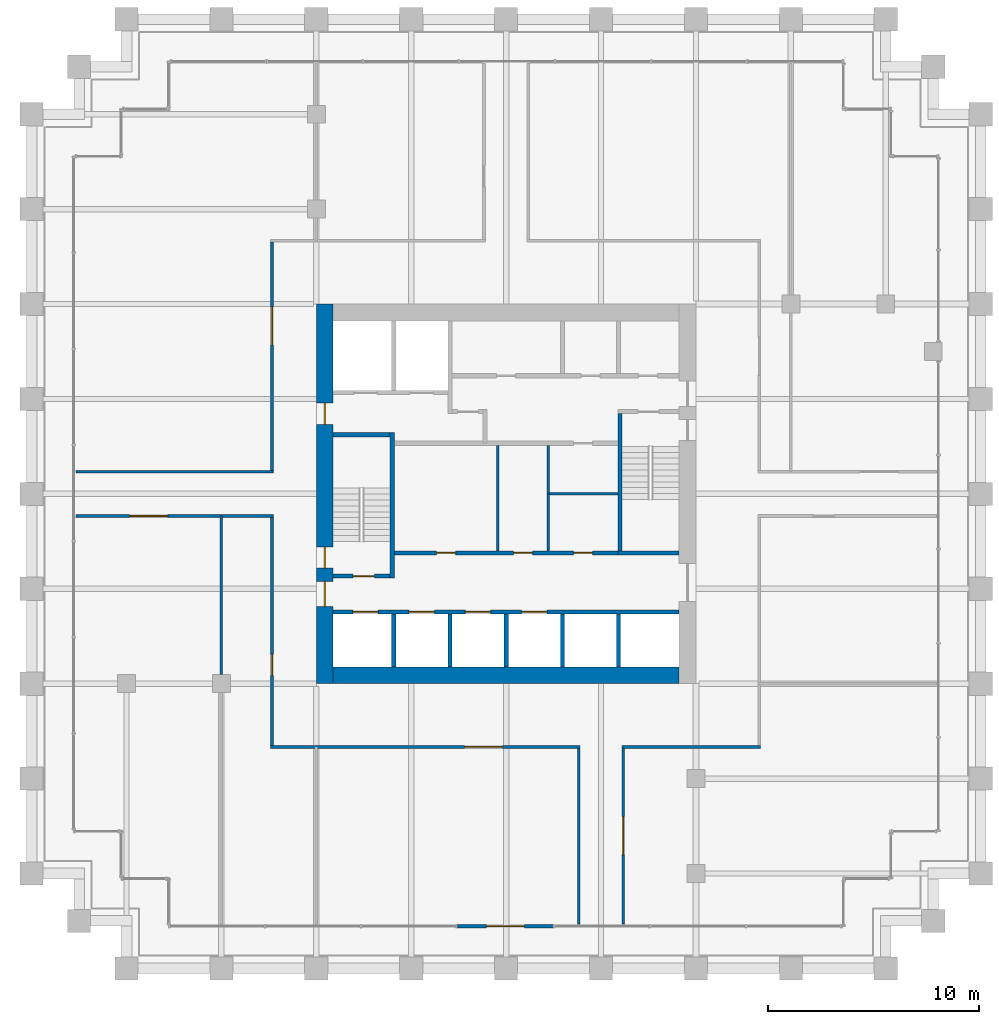
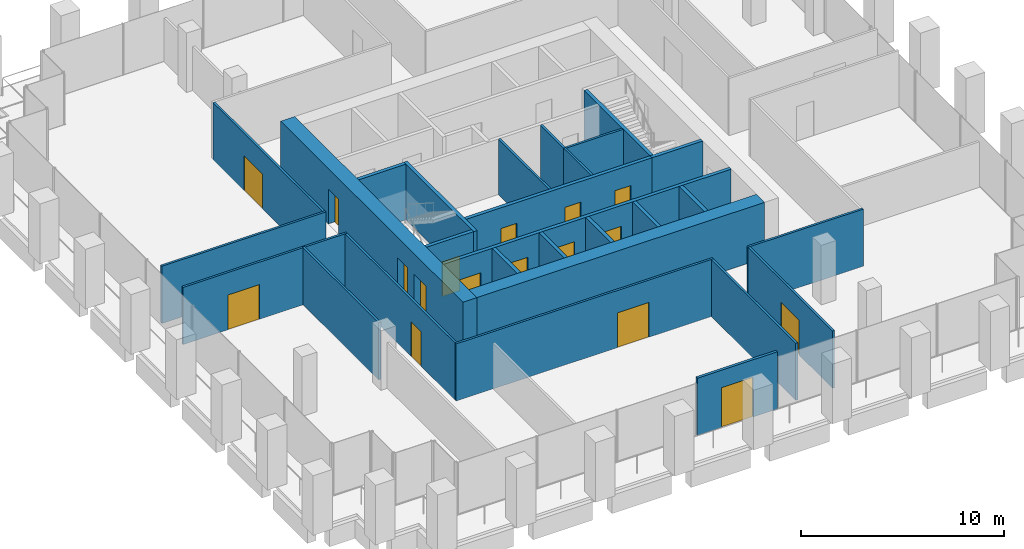
# One storey, part 50 of 54: 28 walls, 17 doors, 17 openings.
"""IFC4 building model written with IfcOpenShell, lengths in metres."""

import ifcopenshell
import ifcopenshell.guid

model = None  # the IFC model being written
_history = None  # IfcOwnerHistory: only IFC2X3 demands one
_inside = {}  # id of a spatial element -> (the spatial element, [elements in it])
_under = {}  # id of a project, library or spatial element -> (it, [spatial elements below it])
_declared = {}  # id of a project -> (the project, [libraries it declares])
_typed = {}  # id of a type object -> (the type object, [elements of that type])
_made_of = {}  # id of a material, layer set ... -> (it, [elements and type objects made of it])


def new_model(schema):
    """Start an empty IFC model of exactly this schema.

    Asked for "IFC4X3", IfcOpenShell would pick the latest addendum, in which some entities
    have other attributes; the version numbers below select the first issue.
    IFC2X3 requires an IfcOwnerHistory on every rooted entity: one is made here for all.
    """
    global model, _history
    if schema == "IFC4X3":
        model = ifcopenshell.file(schema_version=(4, 3, 0, 0))
    else:
        model = ifcopenshell.file(schema=schema)
    _inside.clear()
    _under.clear()
    _declared.clear()
    _typed.clear()
    _made_of.clear()
    _history = None
    if model.schema == "IFC2X3":
        org = make("IfcOrganization", Name="unknown")
        user = make(
            "IfcPersonAndOrganization",
            ThePerson=make("IfcPerson", FamilyName="unknown"),
            TheOrganization=org,
        )
        app = make(
            "IfcApplication",
            ApplicationDeveloper=org,
            Version="unknown",
            ApplicationFullName="unknown",
            ApplicationIdentifier="unknown",
        )
        _history = make(
            "IfcOwnerHistory",
            OwningUser=user,
            OwningApplication=app,
            ChangeAction="ADDED",
            CreationDate=0,
        )
    return model


def make(cls, **values):
    """One entity of the class cls with the attributes given. An attribute that is None is left unset."""
    return model.create_entity(
        cls, **{name: value for name, value in values.items() if value is not None}
    )


def rooted(cls, **values):
    """An entity with a GlobalId (a new one), such as an element, a storey or a relation."""
    return make(cls, GlobalId=ifcopenshell.guid.new(), OwnerHistory=_history, **values)


def si_unit(unit_type, name, prefix=None):
    """IfcSIUnit, for example si_unit("LENGTHUNIT", "METRE", prefix="MILLI")."""
    return make("IfcSIUnit", UnitType=unit_type, Prefix=prefix, Name=name)


def assignment(units):
    """IfcUnitAssignment: the units of a project."""
    return None if units is None else make("IfcUnitAssignment", Units=units)


def point(xyz):
    """IfcCartesianPoint."""
    return None if xyz is None else make("IfcCartesianPoint", Coordinates=xyz)


def direction(xyz):
    """IfcDirection."""
    return None if xyz is None else make("IfcDirection", DirectionRatios=xyz)


def frame(location, z_axis=None, x_axis=None):
    """IfcAxis2Placement3D, a coordinate frame: its origin and axes. An axis left out is left unset."""
    return make(
        "IfcAxis2Placement3D",
        Location=point(location),
        Axis=direction(z_axis),
        RefDirection=direction(x_axis),
    )


def frame_2d(location, x_axis=None):
    """IfcAxis2Placement2D, a coordinate frame in the plane: its origin and x axis."""
    return make(
        "IfcAxis2Placement2D", Location=point(location), RefDirection=direction(x_axis)
    )


def origin():
    """The frame at (0, 0, 0) with its axes left unset."""
    return frame((0.0, 0.0, 0.0))


def place(relative_to, where):
    """IfcLocalPlacement: puts the frame where relative to a parent placement (None: the world)."""
    return make(
        "IfcLocalPlacement", PlacementRelTo=relative_to, RelativePlacement=where
    )


def context(
    kind, dimensions, precision=None, world=None, true_north=None, identifier=None
):
    """IfcGeometricRepresentationContext, for example the 3D "Model" context."""
    return make(
        "IfcGeometricRepresentationContext",
        ContextIdentifier=identifier,
        ContextType=kind,
        CoordinateSpaceDimension=dimensions,
        Precision=precision,
        WorldCoordinateSystem=world,
        TrueNorth=true_north,
    )


def subcontext(parent, identifier, kind, view, scale=None):
    """IfcGeometricRepresentationSubContext, for example "Body" below "Model"."""
    return make(
        "IfcGeometricRepresentationSubContext",
        ContextIdentifier=identifier,
        ContextType=kind,
        ParentContext=parent,
        TargetScale=scale,
        TargetView=view,
    )


def project(units=None, contexts=None):
    """IfcProject with its units and contexts."""
    return rooted(
        "IfcProject",
        Name="project",
        RepresentationContexts=contexts,
        UnitsInContext=assignment(units),
    )


def spatial(cls, under=None, at=None, **own):
    """A site, building, storey or space (cls), placed at a placement, below another one or the project."""
    s = rooted(cls, ObjectPlacement=at, **own)
    if under is not None:
        _under.setdefault(under.id(), (under, []))[1].append(s)
    return s


def profile(cls, at=None, kind="AREA", **sizes):
    """A parametric profile (cls). Its sizes go by their IFC names, for example OverallWidth=200.0."""
    return make(cls, ProfileType=kind, Position=at, **sizes)


def rectangle(**sizes):
    """IfcRectangleProfileDef."""
    return profile("IfcRectangleProfileDef", **sizes)


def extrude(swept, where, along, depth):
    """IfcExtrudedAreaSolid: the profile swept, set in the frame where, extruded along a direction by depth."""
    return make(
        "IfcExtrudedAreaSolid",
        SweptArea=swept,
        Position=where,
        ExtrudedDirection=direction(along),
        Depth=depth,
    )


def shape(context_of_items, identifier, shape_type, items):
    """IfcShapeRepresentation: the items that make up one representation, for example the "Body"."""
    return make(
        "IfcShapeRepresentation",
        ContextOfItems=context_of_items,
        RepresentationIdentifier=identifier,
        RepresentationType=shape_type,
        Items=items,
    )


def material(Name=None, Category=None):
    """IfcMaterial."""
    return make("IfcMaterial", Name=Name, Category=Category)


def layer(
    of_material, thickness, ventilated=None, Name=None, Category=None, Priority=None
):
    """IfcMaterialLayer: one layer of a wall or slab, of a material (None: an air gap)."""
    return make(
        "IfcMaterialLayer",
        Material=of_material,
        LayerThickness=thickness,
        IsVentilated=ventilated,
        Name=Name,
        Category=Category,
        Priority=Priority,
    )


def layer_set(layers, Name=None):
    """IfcMaterialLayerSet."""
    return make("IfcMaterialLayerSet", MaterialLayers=layers, LayerSetName=Name)


def made_of(thing, what):
    """Note that an element or type object is made of a material, layer set ...; save() writes the relation."""
    if what is not None:
        _made_of.setdefault(what.id(), (what, []))[1].append(thing)
    return thing


def type_object(cls, material=None, **own):
    """A type object (cls), such as IfcWallType, which elements share."""
    return made_of(rooted(cls, **own), material)


def element(
    cls,
    number,
    at=None,
    inside=None,
    cuts=None,
    type_object=None,
    material=None,
    context=None,
    identifier="Body",
    shape_type=None,
    held_by="IfcProductDefinitionShape",
    body=None,
    shapes=None,
    **own,
):
    """One element of the class cls, such as IfcWall. Its Tag is "e" and its number.

    at: its placement. inside: the storey or other place that contains it. cuts: it is an
    opening in that element (IfcRelVoidsElement). A single representation is given by context,
    identifier, shape_type and body (its items); several are given by shapes. held_by: the class
    of the entity that holds the representations. save() writes the other relations.
    """
    e = rooted(cls, Tag="e%d" % number, ObjectPlacement=at, **own)
    if body is not None:
        shapes = [shape(context, identifier, shape_type, body)]
    if shapes is not None:
        e.Representation = make(held_by, Representations=shapes)
    if inside is not None:
        _inside.setdefault(inside.id(), (inside, []))[1].append(e)
    if cuts is not None:
        rooted(
            "IfcRelVoidsElement", RelatingBuildingElement=cuts, RelatedOpeningElement=e
        )
    if type_object is not None:
        _typed.setdefault(type_object.id(), (type_object, []))[1].append(e)
    return made_of(e, material)


def fill(opening, filler):
    """IfcRelFillsElement: the door or window that sits in an opening."""
    return rooted(
        "IfcRelFillsElement",
        RelatingOpeningElement=opening,
        RelatedBuildingElement=filler,
    )


def aggregate(whole, parts):
    """IfcRelAggregates: a whole, such as a stair, and the parts it consists of."""
    return rooted("IfcRelAggregates", RelatingObject=whole, RelatedObjects=parts)


def save(model, path):
    """Write the relations noted so far, then the file.

    IfcRelAggregates (storeys below a building ...), IfcRelContainedInSpatialStructure (elements
    in a storey), IfcRelDefinesByType, IfcRelAssociatesMaterial and IfcRelDeclares: one each for
    every whole, place, type object, material and project.
    """
    for whole, parts in _under.values():
        aggregate(whole, parts)
    for where, things in _inside.values():
        rooted(
            "IfcRelContainedInSpatialStructure",
            RelatedElements=things,
            RelatingStructure=where,
        )
    for kind, things in _typed.values():
        rooted("IfcRelDefinesByType", RelatedObjects=things, RelatingType=kind)
    for what, things in _made_of.values():
        rooted("IfcRelAssociatesMaterial", RelatedObjects=things, RelatingMaterial=what)
    for by, libraries in _declared.values():
        rooted("IfcRelDeclares", RelatingContext=by, RelatedDefinitions=libraries)
    model.write(path)


model = new_model("IFC4")

# Units and contexts
model_context = context("Model", 3, precision=1e-05, world=origin(), true_north=direction((0.0, 1.0)))
body_context = subcontext(model_context, "Body", "Model", "MODEL_VIEW")
ifc_project = project(units=[si_unit("LENGTHUNIT", "METRE"), si_unit("AREAUNIT", "SQUARE_METRE"), si_unit("VOLUMEUNIT", "CUBIC_METRE"), si_unit("PLANEANGLEUNIT", "RADIAN"), si_unit("MASSUNIT", "GRAM", prefix="KILO")], contexts=[model_context])

# Site, building, storey
site_placement = place(None, origin())
site = spatial("IfcSite", under=ifc_project, at=site_placement, CompositionType="ELEMENT")
building_placement = place(site_placement, origin())
building = spatial("IfcBuilding", under=site, at=building_placement, Name="Altepetl Exchange Towers", CompositionType="ELEMENT")
storey_placement = place(building_placement, frame((0.0, 0.0, 58.199951171875)))
storey = spatial("IfcBuildingStorey", under=building, at=storey_placement, Name="L13", CompositionType="ELEMENT", Elevation=58.199951171875)

# Wall
ifc_material_1 = material(Name="Concrete C70/85", Category="concrete")
ifc_layer_1 = layer(ifc_material_1, 0.800048828125)
ifc_layer_set_1 = layer_set([ifc_layer_1], Name="Concrete C70/85")
wall_type_1 = type_object("IfcWallType", Name="Core wall 800 reinforced concrete", PredefinedType="SHEAR", material=ifc_layer_set_1)
wall_1_placement = place(storey_placement, frame((41.300048828125, 40.89990234375, 0.0)))
element("IfcWall", 1, at=wall_1_placement, inside=storey, type_object=wall_type_1, Name="wall:A:L13:K-coreS", PredefinedType="SHEAR", context=body_context, shape_type="SweptSolid", body=[
    extrude(rectangle(XDim=16.39990234375, YDim=0.800048828125, at=frame_2d((8.199951171875, 0.0))), origin(), (0.0, 0.0, 1.0), 3.35009765625),
])

# Wall, openings, doors
wall_2_placement = place(storey_placement, frame((40.89990234375, 40.5, 0.0), z_axis=(0.0, 0.0, 1.0), x_axis=(0.0, 1.0, 0.0)))
wall_2 = element("IfcWall", 2, at=wall_2_placement, inside=storey, type_object=wall_type_1, Name="wall:A:L13:K-coreW", PredefinedType="SHEAR", context=body_context, shape_type="SweptSolid", body=[
    extrude(rectangle(XDim=18.0, YDim=0.800048828125, at=frame_2d((9.0, 0.0))), origin(), (0.0, 0.0, 1.0), 3.35009765625),
])
opening_1_placement = place(wall_2_placement, frame((3.64990234375, 0.0, 0.0)))
opening_1 = element("IfcOpeningElement", 3, at=opening_1_placement, cuts=wall_2, Name="Opening L13.A62", PredefinedType="OPENING", context=body_context, shape_type="SweptSolid", body=[
    extrude(rectangle(XDim=1.199951171875, YDim=2.10009765625, at=frame_2d((0.60009765625, 1.050048828125))), frame((0.0, 0.41015625, 0.0), z_axis=(0.0, -1.0, 0.0), x_axis=(1.0, 0.0, 0.0)), (0.0, 0.0, 1.0), 0.820068359375),
])
opening_2_placement = place(wall_2_placement, frame((5.47509765625, 0.0, 0.0)))
opening_2 = element("IfcOpeningElement", 4, at=opening_2_placement, cuts=wall_2, Name="Opening L13.A64", PredefinedType="OPENING", context=body_context, shape_type="SweptSolid", body=[
    extrude(rectangle(XDim=1.0, YDim=2.10009765625, at=frame_2d((0.5, 1.050048828125))), frame((0.0, 0.41015625, 0.0), z_axis=(0.0, -1.0, 0.0), x_axis=(1.0, 0.0, 0.0)), (0.0, 0.0, 1.0), 0.820068359375),
])
opening_3_placement = place(wall_2_placement, frame((12.300048828125, 0.0, 0.0)))
opening_3 = element("IfcOpeningElement", 5, at=opening_3_placement, cuts=wall_2, Name="Opening L13.A68", PredefinedType="OPENING", context=body_context, shape_type="SweptSolid", body=[
    extrude(rectangle(XDim=1.0, YDim=2.10009765625, at=frame_2d((0.5, 1.050048828125))), frame((0.0, 0.41015625, 0.0), z_axis=(0.0, -1.0, 0.0), x_axis=(1.0, 0.0, 0.0)), (0.0, 0.0, 1.0), 0.820068359375),
])
ifc_material_2 = material(Name="Steel and timber fire door", Category="steel")
door_type_1 = type_object("IfcDoorType", Name="Fire door 1000 x 2100 stair and lobby", OperationType="SINGLE_SWING_LEFT", PredefinedType="DOOR", material=ifc_material_2)
door_1_placement = place(opening_2_placement, frame((1.0, 0.0, 0.0), x_axis=(-1.0, 0.0, 0.0)))
door_1 = element("IfcDoor", 6, at=door_1_placement, inside=storey, type_object=door_type_1, Name="door:A:L13:K-dS1x", OperationType="SINGLE_SWING_RIGHT", OverallHeight=2.10009765625, OverallWidth=1.0, PredefinedType="DOOR", context=body_context, shape_type="SweptSolid", body=[
    extrude(rectangle(XDim=1.0, YDim=2.10009765625, at=frame_2d((0.5, 1.050048828125))), frame((0.0, 0.02490234375, 0.0), z_axis=(0.0, -1.0, 0.0), x_axis=(1.0, 0.0, 0.0)), (0.0, 0.0, 1.0), 0.050048828125),
])
fill(opening_2, door_1)
door_2_placement = place(opening_3_placement, frame((1.0, 0.0, 0.0), x_axis=(-1.0, 0.0, 0.0)))
door_2 = element("IfcDoor", 7, at=door_2_placement, inside=storey, type_object=door_type_1, Name="door:A:L13:K-dffW", OperationType="SINGLE_SWING_LEFT", OverallHeight=2.10009765625, OverallWidth=1.0, PredefinedType="DOOR", context=body_context, shape_type="SweptSolid", body=[
    extrude(rectangle(XDim=1.0, YDim=2.10009765625, at=frame_2d((0.5, 1.050048828125))), frame((0.0, 0.02490234375, 0.0), z_axis=(0.0, -1.0, 0.0), x_axis=(1.0, 0.0, 0.0)), (0.0, 0.0, 1.0), 0.050048828125),
])
fill(opening_3, door_2)
door_type_2 = type_object("IfcDoorType", Name="Fire door 1200 x 2100 lobby entry", OperationType="SINGLE_SWING_LEFT", PredefinedType="DOOR", material=ifc_material_2)
door_3_placement = place(opening_1_placement, frame((1.199951171875, 0.0, 0.0), x_axis=(-1.0, 0.0, 0.0)))
door_3 = element("IfcDoor", 8, at=door_3_placement, inside=storey, type_object=door_type_2, Name="door:A:L13:K-dLSW", OperationType="SINGLE_SWING_LEFT", OverallHeight=2.10009765625, OverallWidth=1.199951171875, PredefinedType="DOOR", context=body_context, shape_type="SweptSolid", body=[
    extrude(rectangle(XDim=1.199951171875, YDim=2.10009765625, at=frame_2d((0.60009765625, 1.050048828125))), frame((0.0, 0.02490234375, 0.0), z_axis=(0.0, -1.0, 0.0), x_axis=(1.0, 0.0, 0.0)), (0.0, 0.0, 1.0), 0.050048828125),
])
fill(opening_1, door_3)

# Wall, opening, door
ifc_material_3 = material(Name="Aluminium composite cladding", Category="aluminium")
ifc_layer_2 = layer(ifc_material_3, 0.14990234375)
ifc_layer_set_2 = layer_set([ifc_layer_2], Name="Aluminium composite cladding")
wall_type_2 = type_object("IfcWallType", Name="Infill wall 150 aluminium panel", PredefinedType="SOLIDWALL", material=ifc_layer_set_2)
wall_3_placement = place(storey_placement, frame((47.18212890625, 29.0, 0.0)))
wall_3 = element("IfcWall", 9, at=wall_3_placement, inside=storey, type_object=wall_type_2, Name="Loggia door bay wall", PredefinedType="SOLIDWALL", context=body_context, shape_type="SweptSolid", body=[
    extrude(rectangle(XDim=4.560791015625, YDim=0.14990234375, at=frame_2d((2.2802734375, 0.0))), origin(), (0.0, 0.0, 1.0), 3.449951171875),
])
opening_4_placement = place(wall_3_placement, frame((1.38037109375, 0.0, 0.0)))
opening_4 = element("IfcOpeningElement", 10, at=opening_4_placement, cuts=wall_3, Name="Opening L13.A90", PredefinedType="OPENING", context=body_context, shape_type="SweptSolid", body=[
    extrude(rectangle(XDim=1.800048828125, YDim=2.39990234375, at=frame_2d((0.89990234375, 1.199951171875))), frame((0.0, 0.0849609375, 0.0), z_axis=(0.0, -1.0, 0.0), x_axis=(1.0, 0.0, 0.0)), (0.0, 0.0, 1.0), 0.169921875),
])
ifc_material_4 = material(Name="Aluminium 6063-T6 and glass", Category="aluminium")
door_type_3 = type_object("IfcDoorType", Name="Glazed door pair 1800x2400", OperationType="DOUBLE_DOOR_DOUBLE_SWING", PredefinedType="NOTDEFINED", material=ifc_material_4)
door_4_placement = place(opening_4_placement, frame((1.800048828125, 0.0, 0.0), x_axis=(-1.0, 0.0, 0.0)))
door_4 = element("IfcDoor", 11, at=door_4_placement, inside=storey, type_object=door_type_3, Name="Loggia door", OperationType="DOUBLE_DOOR_DOUBLE_SWING", OverallHeight=2.39990234375, OverallWidth=1.800048828125, PredefinedType="NOTDEFINED", context=body_context, shape_type="SweptSolid", body=[
    extrude(rectangle(XDim=1.800048828125, YDim=2.39990234375, at=frame_2d((0.89990234375, 1.199951171875))), frame((0.0, 0.02490234375, 0.0), z_axis=(0.0, -1.0, 0.0), x_axis=(1.0, 0.0, 0.0)), (0.0, 0.0, 1.0), 0.050048828125),
])
fill(opening_4, door_4)

# Wall, openings, doors
ifc_material_5 = material(Name="Concrete blockwork", Category="masonry")
ifc_layer_3 = layer(ifc_material_5, 0.199951171875)
ifc_layer_set_3 = layer_set([ifc_layer_3], Name="Concrete blockwork")
wall_type_3 = type_object("IfcWallType", Name="Lobby wall 200 blockwork", PredefinedType="PARTITIONING", material=ifc_layer_set_3)
wall_4_placement = place(storey_placement, frame((44.199951171875, 46.699951171875, 0.0)))
wall_4 = element("IfcWall", 12, at=wall_4_placement, inside=storey, type_object=wall_type_3, Name="wall:A:L13:K-zoneS", PredefinedType="PARTITIONING", context=body_context, shape_type="SweptSolid", body=[
    extrude(rectangle(XDim=10.60009765625, YDim=0.199951171875, at=frame_2d((5.300048828125, 0.0))), origin(), (0.0, 0.0, 1.0), 3.35009765625),
])
opening_5_placement = place(wall_4_placement, frame((2.0, 0.0, 0.0)))
opening_5 = element("IfcOpeningElement", 13, at=opening_5_placement, cuts=wall_4, Name="Opening L13.A72", PredefinedType="OPENING", context=body_context, shape_type="SweptSolid", body=[
    extrude(rectangle(XDim=0.89990234375, YDim=2.10009765625, at=frame_2d((0.449951171875, 1.050048828125))), frame((0.0, 0.10986328125, 0.0), z_axis=(0.0, -1.0, 0.0), x_axis=(1.0, 0.0, 0.0)), (0.0, 0.0, 1.0), 0.219970703125),
])
opening_6_placement = place(wall_4_placement, frame((5.64990234375, 0.0, 0.0)))
opening_6 = element("IfcOpeningElement", 14, at=opening_6_placement, cuts=wall_4, Name="Opening L13.A73", PredefinedType="OPENING", context=body_context, shape_type="SweptSolid", body=[
    extrude(rectangle(XDim=0.89990234375, YDim=2.10009765625, at=frame_2d((0.449951171875, 1.050048828125))), frame((0.0, 0.10986328125, 0.0), z_axis=(0.0, -1.0, 0.0), x_axis=(1.0, 0.0, 0.0)), (0.0, 0.0, 1.0), 0.219970703125),
])
opening_7_placement = place(wall_4_placement, frame((8.5, 0.0, 0.0)))
opening_7 = element("IfcOpeningElement", 15, at=opening_7_placement, cuts=wall_4, Name="Opening L13.A75", PredefinedType="OPENING", context=body_context, shape_type="SweptSolid", body=[
    extrude(rectangle(XDim=0.89990234375, YDim=2.10009765625, at=frame_2d((0.449951171875, 1.050048828125))), frame((0.0, 0.10986328125, 0.0), z_axis=(0.0, -1.0, 0.0), x_axis=(1.0, 0.0, 0.0)), (0.0, 0.0, 1.0), 0.219970703125),
])
door_type_4 = type_object("IfcDoorType", Name="Fire door 900 x 2100 service room", OperationType="SINGLE_SWING_LEFT", PredefinedType="DOOR", material=ifc_material_2)
door_5_placement = place(opening_5_placement, origin())
door_5 = element("IfcDoor", 16, at=door_5_placement, inside=storey, type_object=door_type_4, Name="door:A:L13:K-dz1", OperationType="SINGLE_SWING_LEFT", OverallHeight=2.10009765625, OverallWidth=0.89990234375, PredefinedType="DOOR", context=body_context, shape_type="SweptSolid", body=[
    extrude(rectangle(XDim=0.89990234375, YDim=2.10009765625, at=frame_2d((0.449951171875, 1.050048828125))), frame((0.0, 0.02490234375, 0.0), z_axis=(0.0, -1.0, 0.0), x_axis=(1.0, 0.0, 0.0)), (0.0, 0.0, 1.0), 0.050048828125),
])
fill(opening_5, door_5)
door_6_placement = place(opening_6_placement, origin())
door_6 = element("IfcDoor", 17, at=door_6_placement, inside=storey, type_object=door_type_4, Name="door:A:L13:K-dz2", OperationType="SINGLE_SWING_RIGHT", OverallHeight=2.10009765625, OverallWidth=0.89990234375, PredefinedType="DOOR", context=body_context, shape_type="SweptSolid", body=[
    extrude(rectangle(XDim=0.89990234375, YDim=2.10009765625, at=frame_2d((0.449951171875, 1.050048828125))), frame((0.0, 0.02490234375, 0.0), z_axis=(0.0, -1.0, 0.0), x_axis=(1.0, 0.0, 0.0)), (0.0, 0.0, 1.0), 0.050048828125),
])
fill(opening_6, door_6)
door_7_placement = place(opening_7_placement, origin())
door_7 = element("IfcDoor", 18, at=door_7_placement, inside=storey, type_object=door_type_4, Name="door:A:L13:K-dz4", OperationType="SINGLE_SWING_RIGHT", OverallHeight=2.10009765625, OverallWidth=0.89990234375, PredefinedType="DOOR", context=body_context, shape_type="SweptSolid", body=[
    extrude(rectangle(XDim=0.89990234375, YDim=2.10009765625, at=frame_2d((0.449951171875, 1.050048828125))), frame((0.0, 0.02490234375, 0.0), z_axis=(0.0, -1.0, 0.0), x_axis=(1.0, 0.0, 0.0)), (0.0, 0.0, 1.0), 0.050048828125),
])
fill(opening_7, door_7)

# Walls
ifc_material_6 = material(Name="Gypsum board on steel studs", Category="steel")
ifc_layer_4 = layer(ifc_material_6, 0.125)
ifc_layer_set_4 = layer_set([ifc_layer_4], Name="Gypsum board on steel studs")
wall_type_4 = type_object("IfcWallType", Name="Partition 125 gypsum board on steel studs", PredefinedType="PARTITIONING", material=ifc_layer_set_4)
wall_5_placement = place(storey_placement, frame((49.10009765625, 46.800048828125, 0.0), z_axis=(0.0, 0.0, 1.0), x_axis=(0.0, 1.0, 0.0)))
element("IfcWall", 19, at=wall_5_placement, inside=storey, type_object=wall_type_4, Name="wall:A:L13:K-zp1", PredefinedType="PARTITIONING", context=body_context, shape_type="SweptSolid", body=[
    extrude(rectangle(XDim=5.0, YDim=0.125, at=frame_2d((2.5, 0.0))), origin(), (0.0, 0.0, 1.0), 3.35009765625),
])
wall_6_placement = place(storey_placement, frame((51.5, 46.800048828125, 0.0), z_axis=(0.0, 0.0, 1.0), x_axis=(0.0, 1.0, 0.0)))
element("IfcWall", 20, at=wall_6_placement, inside=storey, type_object=wall_type_4, Name="wall:A:L13:K-zp2", PredefinedType="PARTITIONING", context=body_context, shape_type="SweptSolid", body=[
    extrude(rectangle(XDim=2.762451171875, YDim=0.125, at=frame_2d((1.38134765625, 0.0))), origin(), (0.0, 0.0, 1.0), 3.35009765625),
])
wall_7_placement = place(storey_placement, frame((51.5625, 49.5, 0.0)))
element("IfcWall", 21, at=wall_7_placement, inside=storey, type_object=wall_type_4, Name="wall:A:L13:K-zp3", PredefinedType="PARTITIONING", context=body_context, shape_type="SweptSolid", body=[
    extrude(rectangle(XDim=3.237548828125, YDim=0.125, at=frame_2d((1.61865234375, 0.0))), origin(), (0.0, 0.0, 1.0), 3.35009765625),
])
wall_8_placement = place(storey_placement, frame((51.5, 49.5, 0.0), z_axis=(0.0, 0.0, 1.0), x_axis=(0.0, 1.0, 0.0)))
element("IfcWall", 22, at=wall_8_placement, inside=storey, type_object=wall_type_4, Name="wall:A:L13:K-zp4", PredefinedType="PARTITIONING", context=body_context, shape_type="SweptSolid", body=[
    extrude(rectangle(XDim=2.300048828125, YDim=0.125, at=frame_2d((1.14990234375, 0.0))), origin(), (0.0, 0.0, 1.0), 3.35009765625),
])

# Wall, opening, door
wall_9_placement = place(storey_placement, frame((38.33740234375, 37.5, 0.0)))
wall_9 = element("IfcWall", 23, at=wall_9_placement, inside=storey, type_object=wall_type_4, Name="wall:A:L13:P01", PredefinedType="PARTITIONING", context=body_context, shape_type="SweptSolid", body=[
    extrude(rectangle(XDim=14.675048828125, YDim=0.125, at=frame_2d((7.33740234375, 0.0))), origin(), (0.0, 0.0, 1.0), 3.449951171875),
])
opening_8_placement = place(wall_9_placement, frame((9.193603515625, 0.0, 0.0)))
opening_8 = element("IfcOpeningElement", 24, at=opening_8_placement, cuts=wall_9, Name="Opening L13.A03", PredefinedType="OPENING", context=body_context, shape_type="SweptSolid", body=[
    extrude(rectangle(XDim=1.800048828125, YDim=2.10009765625, at=frame_2d((0.89990234375, 1.050048828125))), frame((0.0, 0.072509765625, 0.0), z_axis=(0.0, -1.0, 0.0), x_axis=(1.0, 0.0, 0.0)), (0.0, 0.0, 1.0), 0.14501953125),
])
door_type_5 = type_object("IfcDoorType", Name="Fire door 1800 x 2100 double leaf", OperationType="DOUBLE_DOOR_SINGLE_SWING", PredefinedType="DOOR", material=ifc_material_2)
door_8_placement = place(opening_8_placement, frame((1.800048828125, 0.0, 0.0), x_axis=(-1.0, 0.0, 0.0)))
door_8 = element("IfcDoor", 25, at=door_8_placement, inside=storey, type_object=door_type_5, Name="door:A:L13:03", OperationType="DOUBLE_DOOR_SINGLE_SWING", OverallHeight=2.10009765625, OverallWidth=1.800048828125, PredefinedType="DOOR", context=body_context, shape_type="SweptSolid", body=[
    extrude(rectangle(XDim=1.800048828125, YDim=2.10009765625, at=frame_2d((0.89990234375, 1.050048828125))), frame((0.0, 0.02490234375, 0.0), z_axis=(0.0, -1.0, 0.0), x_axis=(1.0, 0.0, 0.0)), (0.0, 0.0, 1.0), 0.050048828125),
])
fill(opening_8, door_8)

# Wall
wall_10_placement = place(storey_placement, frame((54.987548828125, 37.5, 0.0)))
element("IfcWall", 26, at=wall_10_placement, inside=storey, type_object=wall_type_4, Name="wall:A:L13:P02", PredefinedType="PARTITIONING", context=body_context, shape_type="SweptSolid", body=[
    extrude(rectangle(XDim=6.574951171875, YDim=0.125, at=frame_2d((3.28759765625, 0.0))), origin(), (0.0, 0.0, 1.0), 3.449951171875),
])

# Wall, opening, door
wall_11_placement = place(storey_placement, frame((29.10009765625, 48.449951171875, 0.0)))
wall_11 = element("IfcWall", 27, at=wall_11_placement, inside=storey, type_object=wall_type_4, Name="wall:A:L13:P04", PredefinedType="PARTITIONING", context=body_context, shape_type="SweptSolid", body=[
    extrude(rectangle(XDim=9.3623046875, YDim=0.125, at=frame_2d((4.68115234375, 0.0))), origin(), (0.0, 0.0, 1.0), 3.449951171875),
])
opening_9_placement = place(wall_11_placement, frame((2.550048828125, 0.0, 0.0)))
opening_9 = element("IfcOpeningElement", 28, at=opening_9_placement, cuts=wall_11, Name="Opening L13.A01", PredefinedType="OPENING", context=body_context, shape_type="SweptSolid", body=[
    extrude(rectangle(XDim=1.800048828125, YDim=2.10009765625, at=frame_2d((0.89990234375, 1.050048828125))), frame((0.0, 0.072509765625, 0.0), z_axis=(0.0, -1.0, 0.0), x_axis=(1.0, 0.0, 0.0)), (0.0, 0.0, 1.0), 0.14501953125),
])
door_9_placement = place(opening_9_placement, frame((1.800048828125, 0.0, 0.0), x_axis=(-1.0, 0.0, 0.0)))
door_9 = element("IfcDoor", 29, at=door_9_placement, inside=storey, type_object=door_type_5, Name="door:A:L13:01", OperationType="DOUBLE_DOOR_SINGLE_SWING", OverallHeight=2.10009765625, OverallWidth=1.800048828125, PredefinedType="DOOR", context=body_context, shape_type="SweptSolid", body=[
    extrude(rectangle(XDim=1.800048828125, YDim=2.10009765625, at=frame_2d((0.89990234375, 1.050048828125))), frame((0.0, 0.02490234375, 0.0), z_axis=(0.0, -1.0, 0.0), x_axis=(1.0, 0.0, 0.0)), (0.0, 0.0, 1.0), 0.050048828125),
])
fill(opening_9, door_9)

# Walls
wall_12_placement = place(storey_placement, frame((29.10009765625, 50.550048828125, 0.0)))
element("IfcWall", 30, at=wall_12_placement, inside=storey, type_object=wall_type_4, Name="wall:A:L13:P06", PredefinedType="PARTITIONING", context=body_context, shape_type="SweptSolid", body=[
    extrude(rectangle(XDim=9.3623046875, YDim=0.125, at=frame_2d((4.68115234375, 0.0))), origin(), (0.0, 0.0, 1.0), 3.449951171875),
])
wall_13_placement = place(storey_placement, frame((36.0, 40.925048828125, 0.0), z_axis=(0.0, 0.0, 1.0), x_axis=(0.0, 1.0, 0.0)))
element("IfcWall", 31, at=wall_13_placement, inside=storey, type_object=wall_type_4, Name="wall:A:L13:P11", PredefinedType="PARTITIONING", context=body_context, shape_type="SweptSolid", body=[
    extrude(rectangle(XDim=7.52490234375, YDim=0.125, at=frame_2d((3.762451171875, 0.0))), origin(), (0.0, 0.0, 1.0), 3.449951171875),
])

# Wall, opening, door
wall_14_placement = place(storey_placement, frame((38.39990234375, 37.5625, 0.0), z_axis=(0.0, 0.0, 1.0), x_axis=(0.0, 1.0, 0.0)))
wall_14 = element("IfcWall", 32, at=wall_14_placement, inside=storey, type_object=wall_type_4, Name="wall:A:L13:P12", PredefinedType="PARTITIONING", context=body_context, shape_type="SweptSolid", body=[
    extrude(rectangle(XDim=10.824951171875, YDim=0.125, at=frame_2d((5.41259765625, 0.0))), origin(), (0.0, 0.0, 1.0), 3.449951171875),
])
opening_10_placement = place(wall_14_placement, frame((3.32861328125, 0.0, 0.0)))
opening_10 = element("IfcOpeningElement", 33, at=opening_10_placement, cuts=wall_14, Name="Opening L13.A02", PredefinedType="OPENING", context=body_context, shape_type="SweptSolid", body=[
    extrude(rectangle(XDim=1.0, YDim=2.10009765625, at=frame_2d((0.5, 1.050048828125))), frame((0.0, 0.072509765625, 0.0), z_axis=(0.0, -1.0, 0.0), x_axis=(1.0, 0.0, 0.0)), (0.0, 0.0, 1.0), 0.14501953125),
])
door_type_6 = type_object("IfcDoorType", Name="Fire door 1000 x 2100 single leaf", OperationType="SINGLE_SWING_LEFT", PredefinedType="DOOR", material=ifc_material_2)
door_10_placement = place(opening_10_placement, origin())
door_10 = element("IfcDoor", 34, at=door_10_placement, inside=storey, type_object=door_type_6, Name="door:A:L13:02", OperationType="SINGLE_SWING_RIGHT", OverallHeight=2.10009765625, OverallWidth=1.0, PredefinedType="DOOR", context=body_context, shape_type="SweptSolid", body=[
    extrude(rectangle(XDim=1.0, YDim=2.10009765625, at=frame_2d((0.5, 1.050048828125))), frame((0.0, 0.02490234375, 0.0), z_axis=(0.0, -1.0, 0.0), x_axis=(1.0, 0.0, 0.0)), (0.0, 0.0, 1.0), 0.050048828125),
])
fill(opening_10, door_10)

wall_15_placement = place(storey_placement, frame((38.39990234375, 50.612548828125, 0.0), z_axis=(0.0, 0.0, 1.0), x_axis=(0.0, 1.0, 0.0)))
wall_15 = element("IfcWall", 35, at=wall_15_placement, inside=storey, type_object=wall_type_4, Name="wall:A:L13:P13", PredefinedType="PARTITIONING", context=body_context, shape_type="SweptSolid", body=[
    extrude(rectangle(XDim=10.824951171875, YDim=0.125, at=frame_2d((5.41259765625, 0.0))), origin(), (0.0, 0.0, 1.0), 3.449951171875),
])
opening_11_placement = place(wall_15_placement, frame((5.95654296875, 0.0, 0.0)))
opening_11 = element("IfcOpeningElement", 36, at=opening_11_placement, cuts=wall_15, Name="Opening L13.A09", PredefinedType="OPENING", context=body_context, shape_type="SweptSolid", body=[
    extrude(rectangle(XDim=1.800048828125, YDim=2.10009765625, at=frame_2d((0.89990234375, 1.050048828125))), frame((0.0, 0.072509765625, 0.0), z_axis=(0.0, -1.0, 0.0), x_axis=(1.0, 0.0, 0.0)), (0.0, 0.0, 1.0), 0.14501953125),
])
door_11_placement = place(opening_11_placement, origin())
door_11 = element("IfcDoor", 37, at=door_11_placement, inside=storey, type_object=door_type_5, Name="door:A:L13:09", OperationType="DOUBLE_DOOR_SINGLE_SWING", OverallHeight=2.10009765625, OverallWidth=1.800048828125, PredefinedType="DOOR", context=body_context, shape_type="SweptSolid", body=[
    extrude(rectangle(XDim=1.800048828125, YDim=2.10009765625, at=frame_2d((0.89990234375, 1.050048828125))), frame((0.0, 0.02490234375, 0.0), z_axis=(0.0, -1.0, 0.0), x_axis=(1.0, 0.0, 0.0)), (0.0, 0.0, 1.0), 0.050048828125),
])
fill(opening_11, door_11)

# Wall
wall_16_placement = place(storey_placement, frame((52.949951171875, 29.10009765625, 0.0), z_axis=(0.0, 0.0, 1.0), x_axis=(0.0, 1.0, 0.0)))
element("IfcWall", 38, at=wall_16_placement, inside=storey, type_object=wall_type_4, Name="wall:A:L13:P20", PredefinedType="PARTITIONING", context=body_context, shape_type="SweptSolid", body=[
    extrude(rectangle(XDim=8.33740234375, YDim=0.125, at=frame_2d((4.168701171875, 0.0))), origin(), (0.0, 0.0, 1.0), 3.449951171875),
])

# Wall, opening, door
wall_17_placement = place(storey_placement, frame((55.050048828125, 29.10009765625, 0.0), z_axis=(0.0, 0.0, 1.0), x_axis=(0.0, 1.0, 0.0)))
wall_17 = element("IfcWall", 39, at=wall_17_placement, inside=storey, type_object=wall_type_4, Name="wall:A:L13:P21", PredefinedType="PARTITIONING", context=body_context, shape_type="SweptSolid", body=[
    extrude(rectangle(XDim=8.33740234375, YDim=0.125, at=frame_2d((4.168701171875, 0.0))), origin(), (0.0, 0.0, 1.0), 3.449951171875),
])
opening_12_placement = place(wall_17_placement, frame((3.300048828125, 0.0, 0.0)))
opening_12 = element("IfcOpeningElement", 40, at=opening_12_placement, cuts=wall_17, Name="Opening L13.A04", PredefinedType="OPENING", context=body_context, shape_type="SweptSolid", body=[
    extrude(rectangle(XDim=1.800048828125, YDim=2.10009765625, at=frame_2d((0.89990234375, 1.050048828125))), frame((0.0, 0.072509765625, 0.0), z_axis=(0.0, -1.0, 0.0), x_axis=(1.0, 0.0, 0.0)), (0.0, 0.0, 1.0), 0.14501953125),
])
door_12_placement = place(opening_12_placement, frame((1.800048828125, 0.0, 0.0), x_axis=(-1.0, 0.0, 0.0)))
door_12 = element("IfcDoor", 41, at=door_12_placement, inside=storey, type_object=door_type_5, Name="door:A:L13:04", OperationType="DOUBLE_DOOR_SINGLE_SWING", OverallHeight=2.10009765625, OverallWidth=1.800048828125, PredefinedType="DOOR", context=body_context, shape_type="SweptSolid", body=[
    extrude(rectangle(XDim=1.800048828125, YDim=2.10009765625, at=frame_2d((0.89990234375, 1.050048828125))), frame((0.0, 0.02490234375, 0.0), z_axis=(0.0, -1.0, 0.0), x_axis=(1.0, 0.0, 0.0)), (0.0, 0.0, 1.0), 0.050048828125),
])
fill(opening_12, door_12)

# Walls
ifc_material_7 = material(Name="Concrete C40/50", Category="concrete")
ifc_layer_5 = layer(ifc_material_7, 0.199951171875)
ifc_layer_set_5 = layer_set([ifc_layer_5], Name="Concrete C40/50")
wall_type_5 = type_object("IfcWallType", Name="Shaft wall 200 reinforced concrete", PredefinedType="SHEAR", material=ifc_layer_set_5)
for number, where, z_axis, x_axis, name in (
    (42, (44.166748046875, 41.300048828125, 0.0), (0.0, 0.0, 1.0), (0.0, 1.0, 0.0), "wall:A:L13:K-divS1"),
    (43, (46.833251953125, 41.300048828125, 0.0), (0.0, 0.0, 1.0), (0.0, 1.0, 0.0), "wall:A:L13:K-divS2"),
    (44, (49.5, 41.300048828125, 0.0), (0.0, 0.0, 1.0), (0.0, 1.0, 0.0), "wall:A:L13:K-divS3"),
    (45, (52.166748046875, 41.300048828125, 0.0), (0.0, 0.0, 1.0), (0.0, 1.0, 0.0), "wall:A:L13:K-divS4"),
    (46, (54.833251953125, 41.300048828125, 0.0), (0.0, 0.0, 1.0), (0.0, 1.0, 0.0), "wall:A:L13:K-divS5"),
):
    element("IfcWall", number, at=place(storey_placement, frame(where, z_axis=z_axis, x_axis=x_axis)), inside=storey, type_object=wall_type_5, Name=name, PredefinedType="SHEAR", context=body_context, shape_type="SweptSolid", body=[
        extrude(rectangle(XDim=2.5, YDim=0.199951171875, at=frame_2d((1.25, 0.0))), origin(), (0.0, 0.0, 1.0), 3.35009765625),
    ])

# Wall, openings, doors
wall_18_placement = place(storey_placement, frame((41.300048828125, 43.89990234375, 0.0)))
wall_18 = element("IfcWall", 47, at=wall_18_placement, inside=storey, type_object=wall_type_5, Name="wall:A:L13:K-frontS", PredefinedType="SHEAR", context=body_context, shape_type="SweptSolid", body=[
    extrude(rectangle(XDim=16.39990234375, YDim=0.199951171875, at=frame_2d((8.199951171875, 0.0))), origin(), (0.0, 0.0, 1.0), 3.35009765625),
])
opening_13_placement = place(wall_18_placement, frame((0.933349609375, 0.0, 0.0)))
opening_13 = element("IfcOpeningElement", 48, at=opening_13_placement, cuts=wall_18, Name="Opening L13.A78", PredefinedType="OPENING", context=body_context, shape_type="SweptSolid", body=[
    extrude(rectangle(XDim=1.199951171875, YDim=2.10009765625, at=frame_2d((0.60009765625, 1.050048828125))), frame((0.0, 0.10986328125, 0.0), z_axis=(0.0, -1.0, 0.0), x_axis=(1.0, 0.0, 0.0)), (0.0, 0.0, 1.0), 0.219970703125),
])
opening_14_placement = place(wall_18_placement, frame((3.60009765625, 0.0, 0.0)))
opening_14 = element("IfcOpeningElement", 49, at=opening_14_placement, cuts=wall_18, Name="Opening L13.A79", PredefinedType="OPENING", context=body_context, shape_type="SweptSolid", body=[
    extrude(rectangle(XDim=1.199951171875, YDim=2.10009765625, at=frame_2d((0.60009765625, 1.050048828125))), frame((0.0, 0.10986328125, 0.0), z_axis=(0.0, -1.0, 0.0), x_axis=(1.0, 0.0, 0.0)), (0.0, 0.0, 1.0), 0.219970703125),
])
opening_15_placement = place(wall_18_placement, frame((6.2666015625, 0.0, 0.0)))
opening_15 = element("IfcOpeningElement", 50, at=opening_15_placement, cuts=wall_18, Name="Opening L13.A80", PredefinedType="OPENING", context=body_context, shape_type="SweptSolid", body=[
    extrude(rectangle(XDim=1.199951171875, YDim=2.10009765625, at=frame_2d((0.60009765625, 1.050048828125))), frame((0.0, 0.10986328125, 0.0), z_axis=(0.0, -1.0, 0.0), x_axis=(1.0, 0.0, 0.0)), (0.0, 0.0, 1.0), 0.219970703125),
])
opening_16_placement = place(wall_18_placement, frame((8.933349609375, 0.0, 0.0)))
opening_16 = element("IfcOpeningElement", 51, at=opening_16_placement, cuts=wall_18, Name="Opening L13.A81", PredefinedType="OPENING", context=body_context, shape_type="SweptSolid", body=[
    extrude(rectangle(XDim=1.199951171875, YDim=2.10009765625, at=frame_2d((0.60009765625, 1.050048828125))), frame((0.0, 0.10986328125, 0.0), z_axis=(0.0, -1.0, 0.0), x_axis=(1.0, 0.0, 0.0)), (0.0, 0.0, 1.0), 0.219970703125),
])
ifc_material_8 = material(Name="Stainless steel", Category="steel")
door_type_7 = type_object("IfcDoorType", Name="Lift landing door 1200 x 2100", OperationType="SLIDING_TO_LEFT", PredefinedType="DOOR", material=ifc_material_8)
door_13_placement = place(opening_13_placement, origin())
door_13 = element("IfcDoor", 52, at=door_13_placement, inside=storey, type_object=door_type_7, Name="Landing door P1", OperationType="SLIDING_TO_LEFT", OverallHeight=2.10009765625, OverallWidth=1.199951171875, PredefinedType="DOOR", context=body_context, shape_type="SweptSolid", body=[
    extrude(rectangle(XDim=1.199951171875, YDim=2.10009765625, at=frame_2d((0.60009765625, 1.050048828125))), frame((0.0, 0.02490234375, 0.0), z_axis=(0.0, -1.0, 0.0), x_axis=(1.0, 0.0, 0.0)), (0.0, 0.0, 1.0), 0.050048828125),
])
fill(opening_13, door_13)
door_14_placement = place(opening_14_placement, origin())
door_14 = element("IfcDoor", 53, at=door_14_placement, inside=storey, type_object=door_type_7, Name="Landing door P2", OperationType="SLIDING_TO_LEFT", OverallHeight=2.10009765625, OverallWidth=1.199951171875, PredefinedType="DOOR", context=body_context, shape_type="SweptSolid", body=[
    extrude(rectangle(XDim=1.199951171875, YDim=2.10009765625, at=frame_2d((0.60009765625, 1.050048828125))), frame((0.0, 0.02490234375, 0.0), z_axis=(0.0, -1.0, 0.0), x_axis=(1.0, 0.0, 0.0)), (0.0, 0.0, 1.0), 0.050048828125),
])
fill(opening_14, door_14)
door_15_placement = place(opening_15_placement, origin())
door_15 = element("IfcDoor", 54, at=door_15_placement, inside=storey, type_object=door_type_7, Name="Landing door P3", OperationType="SLIDING_TO_LEFT", OverallHeight=2.10009765625, OverallWidth=1.199951171875, PredefinedType="DOOR", context=body_context, shape_type="SweptSolid", body=[
    extrude(rectangle(XDim=1.199951171875, YDim=2.10009765625, at=frame_2d((0.60009765625, 1.050048828125))), frame((0.0, 0.02490234375, 0.0), z_axis=(0.0, -1.0, 0.0), x_axis=(1.0, 0.0, 0.0)), (0.0, 0.0, 1.0), 0.050048828125),
])
fill(opening_15, door_15)
door_16_placement = place(opening_16_placement, origin())
door_16 = element("IfcDoor", 55, at=door_16_placement, inside=storey, type_object=door_type_7, Name="Landing door P4", OperationType="SLIDING_TO_LEFT", OverallHeight=2.10009765625, OverallWidth=1.199951171875, PredefinedType="DOOR", context=body_context, shape_type="SweptSolid", body=[
    extrude(rectangle(XDim=1.199951171875, YDim=2.10009765625, at=frame_2d((0.60009765625, 1.050048828125))), frame((0.0, 0.02490234375, 0.0), z_axis=(0.0, -1.0, 0.0), x_axis=(1.0, 0.0, 0.0)), (0.0, 0.0, 1.0), 0.050048828125),
])
fill(opening_16, door_16)

# Walls
ifc_layer_6 = layer(ifc_material_7, 0.199951171875)
ifc_layer_set_6 = layer_set([ifc_layer_6], Name="Concrete C40/50")
wall_type_6 = type_object("IfcWallType", Name="Stair wall 200 reinforced concrete", PredefinedType="SHEAR", material=ifc_layer_set_6)
wall_19_placement = place(storey_placement, frame((44.10009765625, 45.5, 0.0), z_axis=(0.0, 0.0, 1.0), x_axis=(0.0, 1.0, 0.0)))
element("IfcWall", 56, at=wall_19_placement, inside=storey, type_object=wall_type_6, Name="wall:A:L13:K-stS1E", PredefinedType="SHEAR", context=body_context, shape_type="SweptSolid", body=[
    extrude(rectangle(XDim=6.89990234375, YDim=0.199951171875, at=frame_2d((3.449951171875, 0.0))), origin(), (0.0, 0.0, 1.0), 3.35009765625),
])
wall_20_placement = place(storey_placement, frame((41.300048828125, 52.300048828125, 0.0)))
element("IfcWall", 57, at=wall_20_placement, inside=storey, type_object=wall_type_6, Name="wall:A:L13:K-stS1N", PredefinedType="SHEAR", context=body_context, shape_type="SweptSolid", body=[
    extrude(rectangle(XDim=2.699951171875, YDim=0.199951171875, at=frame_2d((1.35009765625, 0.0))), origin(), (0.0, 0.0, 1.0), 3.35009765625),
])

# Wall, opening, door
wall_21_placement = place(storey_placement, frame((41.300048828125, 45.60009765625, 0.0)))
wall_21 = element("IfcWall", 58, at=wall_21_placement, inside=storey, type_object=wall_type_6, Name="wall:A:L13:K-stS1S", PredefinedType="SHEAR", context=body_context, shape_type="SweptSolid", body=[
    extrude(rectangle(XDim=2.699951171875, YDim=0.199951171875, at=frame_2d((1.35009765625, 0.0))), origin(), (0.0, 0.0, 1.0), 3.35009765625),
])
opening_17_placement = place(wall_21_placement, frame((0.949951171875, 0.0, 0.0)))
opening_17 = element("IfcOpeningElement", 59, at=opening_17_placement, cuts=wall_21, Name="Opening L13.A63", PredefinedType="OPENING", context=body_context, shape_type="SweptSolid", body=[
    extrude(rectangle(XDim=1.0, YDim=2.10009765625, at=frame_2d((0.5, 1.050048828125))), frame((0.0, 0.10986328125, 0.0), z_axis=(0.0, -1.0, 0.0), x_axis=(1.0, 0.0, 0.0)), (0.0, 0.0, 1.0), 0.219970703125),
])
door_17_placement = place(opening_17_placement, origin())
door_17 = element("IfcDoor", 60, at=door_17_placement, inside=storey, type_object=door_type_1, Name="door:A:L13:K-dS1in", OperationType="SINGLE_SWING_RIGHT", OverallHeight=2.10009765625, OverallWidth=1.0, PredefinedType="DOOR", context=body_context, shape_type="SweptSolid", body=[
    extrude(rectangle(XDim=1.0, YDim=2.10009765625, at=frame_2d((0.5, 1.050048828125))), frame((0.0, 0.02490234375, 0.0), z_axis=(0.0, -1.0, 0.0), x_axis=(1.0, 0.0, 0.0)), (0.0, 0.0, 1.0), 0.050048828125),
])
fill(opening_17, door_17)

# Walls
wall_22_placement = place(storey_placement, frame((54.800048828125, 46.699951171875, 0.0)))
element("IfcWall", 61, at=wall_22_placement, inside=storey, type_object=wall_type_6, Name="wall:A:L13:K-stS2S", PredefinedType="SHEAR", context=body_context, shape_type="SweptSolid", body=[
    extrude(rectangle(XDim=2.89990234375, YDim=0.199951171875, at=frame_2d((1.449951171875, 0.0))), origin(), (0.0, 0.0, 1.0), 3.35009765625),
])
wall_23_placement = place(storey_placement, frame((54.89990234375, 46.800048828125, 0.0), z_axis=(0.0, 0.0, 1.0), x_axis=(0.0, 1.0, 0.0)))
element("IfcWall", 62, at=wall_23_placement, inside=storey, type_object=wall_type_6, Name="wall:A:L13:K-stS2W", PredefinedType="SHEAR", context=body_context, shape_type="SweptSolid", body=[
    extrude(rectangle(XDim=6.5, YDim=0.199951171875, at=frame_2d((3.25, 0.0))), origin(), (0.0, 0.0, 1.0), 3.35009765625),
])

save(model, "model.ifc")
